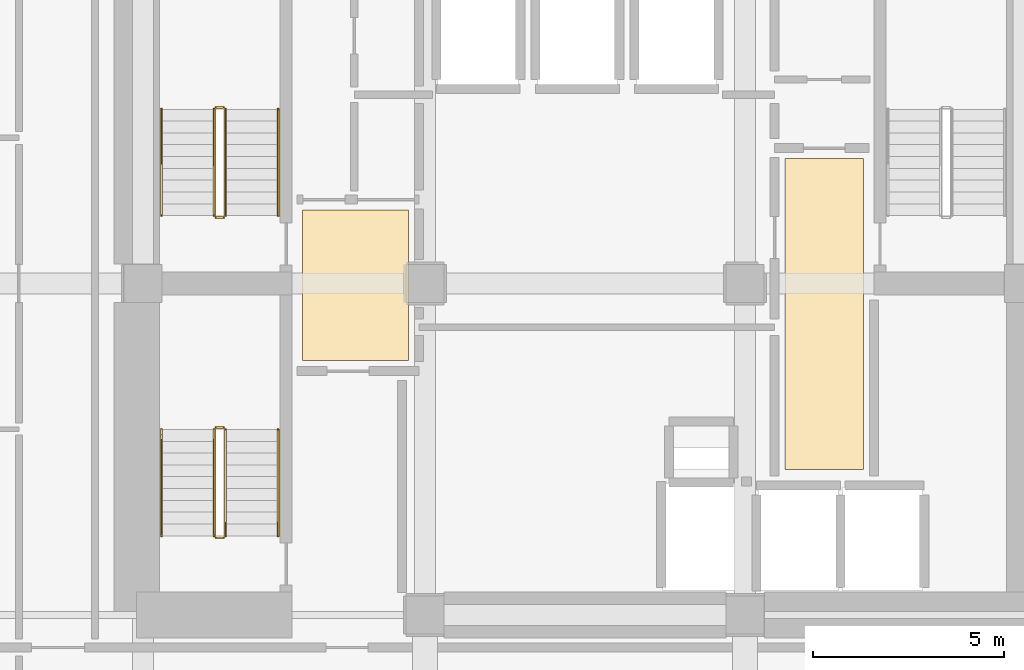
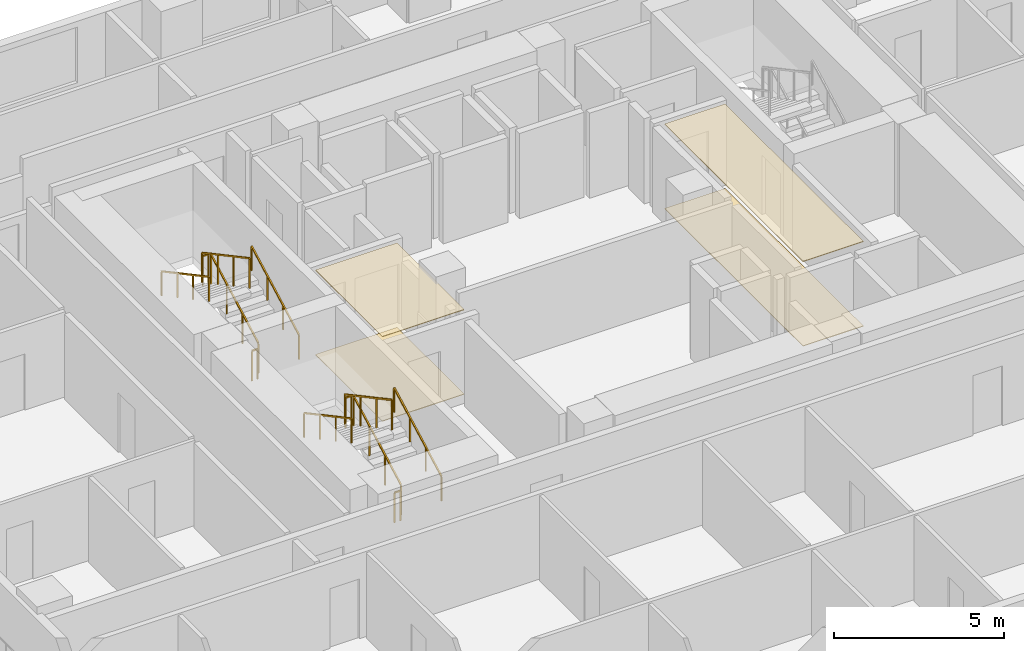
# One storey, part 9 of 11: 12 railings, 4 coverings.
"""IFC4 building model written with IfcOpenShell, lengths in metres."""

from ifc_helpers import new_model, si_unit, direction, frame, origin, origin_2d, place, context, subcontext, project, spatial, polyline, rectangle, outline, extrude, material, layer, layer_set, type_object, element, save


model = new_model("IFC4")

# Units and contexts
model_context = context("Model", 3, precision=1e-05, world=origin(), true_north=direction((0.0, 1.0)))
body_context = subcontext(model_context, "Body", "Model", "MODEL_VIEW")
ifc_project = project(units=[si_unit("LENGTHUNIT", "METRE"), si_unit("AREAUNIT", "SQUARE_METRE"), si_unit("VOLUMEUNIT", "CUBIC_METRE"), si_unit("PLANEANGLEUNIT", "RADIAN"), si_unit("MASSUNIT", "GRAM", prefix="KILO")], contexts=[model_context])

# Site, building, storey
site_placement = place(None, origin())
site = spatial("IfcSite", under=ifc_project, at=site_placement, CompositionType="ELEMENT")
building_placement = place(site_placement, origin())
building = spatial("IfcBuilding", under=site, at=building_placement, Name="Solanera Arch Residences", CompositionType="ELEMENT")
storey_placement = place(building_placement, frame((0.0, 0.0, 28.639892578125)))
storey = spatial("IfcBuildingStorey", under=building, at=storey_placement, Name="L07", CompositionType="ELEMENT", Elevation=28.639892578125)

# Coverings
ifc_material_1 = material(Name="Porcelain Acoustic Floor Tile", Category="ceramic")
ifc_layer_1 = layer(ifc_material_1, 0.02001953125)
ifc_layer_set_1 = layer_set([ifc_layer_1], Name="Porcelain Acoustic Floor Tile")
covering_type_1 = type_object("IfcCoveringType", Name="Porcelain Acoustic Floor Finish FLR-20", PredefinedType="FLOORING", material=ifc_layer_set_1)
covering_1_placement = place(storey_placement, origin())
element("IfcCovering", 1, at=covering_1_placement, inside=storey, type_object=covering_type_1, Name="L07-FFL-W Porcelain Floor Finish", PredefinedType="FLOORING", context=body_context, shape_type="SweptSolid", body=[
    extrude(outline(polyline([(20.375, 28.675048828125), (17.594970703125, 28.675048828125), (17.594970703125, 32.625), (20.375, 32.625), (20.375, 28.675048828125)])), origin(), (0.0, 0.0, 1.0), 0.02001953125),
])
covering_2_placement = place(storey_placement, origin())
element("IfcCovering", 2, at=covering_2_placement, inside=storey, type_object=covering_type_1, Name="L07-FFL-E Porcelain Floor Finish", PredefinedType="FLOORING", context=body_context, shape_type="SweptSolid", body=[
    extrude(outline(polyline([(32.304931640625, 25.824951171875), (30.25, 25.824951171875), (30.25, 33.97509765625), (32.304931640625, 33.97509765625), (32.304931640625, 25.824951171875)])), origin(), (0.0, 0.0, 1.0), 0.02001953125),
])

# Railings
ifc_material_2 = material(Name="Steel S355 (ASTM A992 / A572 Grade 50)", Category="steel")
railing_type_1 = type_object("IfcRailingType", Name="Stair Guardrail GR-1100", PredefinedType="GUARDRAIL", material=ifc_material_2)
railing_1_placement = place(storey_placement, frame((15.570068359375, 32.47998046875, 0.151123046875)))
element("IfcRailing", 3, at=railing_1_placement, inside=storey, type_object=railing_type_1, Name="L07 ST-T1 stair guard 1", PredefinedType="GUARDRAIL", context=body_context, shape_type="SweptSolid", body=[
    extrude(rectangle(XDim=0.048095703125, YDim=0.048095703125, at=origin_2d()), frame((0.0, 0.0, 1.076171875), z_axis=(0.0, 0.881580869306, 0.472033018838), x_axis=(-1.0, 0.0, 0.0)), (0.0, 0.0, 1.0), 3.164794921875),
    extrude(rectangle(XDim=0.0419921875, YDim=0.0419921875, at=origin_2d()), origin(), (0.0, 0.0, 1.0), 1.052001953125),
    extrude(rectangle(XDim=0.0419921875, YDim=0.0419921875, at=origin_2d()), frame((0.0, 0.929931640625, 0.498046875)), (0.0, 0.0, 1.0), 1.052001953125),
    extrude(rectangle(XDim=0.0419921875, YDim=0.0419921875, at=origin_2d()), frame((0.0, 1.860107421875, 0.995849609375)), (0.0, 0.0, 1.0), 1.052001953125),
    extrude(rectangle(XDim=0.0419921875, YDim=0.0419921875, at=origin_2d()), frame((0.0, 2.7900390625, 1.493896484375)), (0.0, 0.0, 1.0), 1.052001953125),
])
railing_2_placement = place(storey_placement, frame((15.52001953125, 35.320068359375, 1.64501953125)))
element("IfcRailing", 4, at=railing_2_placement, inside=storey, type_object=railing_type_1, Name="L07 ST-T1 stair guard 2", PredefinedType="GUARDRAIL", context=body_context, shape_type="SweptSolid", body=[
    extrude(rectangle(XDim=0.048095703125, YDim=0.048095703125, at=origin_2d()), frame((0.0, 0.0, 1.076171875), z_axis=(-1.0, 0.0, 0.0), x_axis=(0.0, -1.0, 0.0)), (0.0, 0.0, 1.0), 0.199951171875),
    extrude(rectangle(XDim=0.0419921875, YDim=0.0419921875, at=origin_2d()), origin(), (0.0, 0.0, 1.0), 1.052001953125),
    extrude(rectangle(XDim=0.0419921875, YDim=0.0419921875, at=origin_2d()), frame((-0.199951171875, 0.0, 0.0)), (0.0, 0.0, 1.0), 1.052001953125),
])
railing_3_placement = place(storey_placement, frame((15.27001953125, 35.27001953125, 1.81103515625)))
element("IfcRailing", 5, at=railing_3_placement, inside=storey, type_object=railing_type_1, Name="L07 ST-T1 stair guard 3", PredefinedType="GUARDRAIL", context=body_context, shape_type="SweptSolid", body=[
    extrude(rectangle(XDim=0.048095703125, YDim=0.048095703125, at=origin_2d()), frame((0.0, 0.0, 1.076171875), z_axis=(0.0, -0.881548766853, 0.472092969298), x_axis=(1.0, 0.0, 0.0)), (0.0, 0.0, 1.0), 3.1650390625),
    extrude(rectangle(XDim=0.0419921875, YDim=0.0419921875, at=origin_2d()), origin(), (0.0, 0.0, 1.0), 1.052001953125),
    extrude(rectangle(XDim=0.0419921875, YDim=0.0419921875, at=origin_2d()), frame((0.0, -0.929931640625, 0.498046875)), (0.0, 0.0, 1.0), 1.052001953125),
    extrude(rectangle(XDim=0.0419921875, YDim=0.0419921875, at=origin_2d()), frame((0.0, -1.860107421875, 0.99609375)), (0.0, 0.0, 1.0), 1.052001953125),
    extrude(rectangle(XDim=0.0419921875, YDim=0.0419921875, at=origin_2d()), frame((0.0, -2.7900390625, 1.494140625)), (0.0, 0.0, 1.0), 1.052001953125),
])
railing_4_placement = place(storey_placement, frame((15.52001953125, 32.429931640625, -0.014892578125)))
element("IfcRailing", 6, at=railing_4_placement, inside=storey, type_object=railing_type_1, Name="L07 ST-T1 stair guard 4", PredefinedType="GUARDRAIL", context=body_context, shape_type="SweptSolid", body=[
    extrude(rectangle(XDim=0.048095703125, YDim=0.048095703125, at=origin_2d()), frame((0.0, 0.0, 1.076171875), z_axis=(-1.0, 0.0, 0.0), x_axis=(0.0, -1.0, 0.0)), (0.0, 0.0, 1.0), 0.199951171875),
    extrude(rectangle(XDim=0.0419921875, YDim=0.0419921875, at=origin_2d()), origin(), (0.0, 0.0, 1.0), 1.052001953125),
    extrude(rectangle(XDim=0.0419921875, YDim=0.0419921875, at=origin_2d()), frame((-0.199951171875, 0.0, 0.0)), (0.0, 0.0, 1.0), 1.052001953125),
])
railing_5_placement = place(storey_placement, frame((15.570068359375, 24.080078125, 0.151123046875)))
element("IfcRailing", 7, at=railing_5_placement, inside=storey, type_object=railing_type_1, Name="L07 ST-T3 stair guard 1", PredefinedType="GUARDRAIL", context=body_context, shape_type="SweptSolid", body=[
    extrude(rectangle(XDim=0.048095703125, YDim=0.048095703125, at=origin_2d()), frame((0.0, 0.0, 1.076171875), z_axis=(0.0, 0.881580869306, 0.472033018838), x_axis=(-1.0, 0.0, 0.0)), (0.0, 0.0, 1.0), 3.164794921875),
    extrude(rectangle(XDim=0.0419921875, YDim=0.0419921875, at=origin_2d()), origin(), (0.0, 0.0, 1.0), 1.052001953125),
    extrude(rectangle(XDim=0.0419921875, YDim=0.0419921875, at=origin_2d()), frame((0.0, 0.929931640625, 0.498046875)), (0.0, 0.0, 1.0), 1.052001953125),
    extrude(rectangle(XDim=0.0419921875, YDim=0.0419921875, at=origin_2d()), frame((0.0, 1.860107421875, 0.995849609375)), (0.0, 0.0, 1.0), 1.052001953125),
    extrude(rectangle(XDim=0.0419921875, YDim=0.0419921875, at=origin_2d()), frame((0.0, 2.7900390625, 1.493896484375)), (0.0, 0.0, 1.0), 1.052001953125),
])
railing_6_placement = place(storey_placement, frame((15.52001953125, 26.919921875, 1.64501953125)))
element("IfcRailing", 8, at=railing_6_placement, inside=storey, type_object=railing_type_1, Name="L07 ST-T3 stair guard 2", PredefinedType="GUARDRAIL", context=body_context, shape_type="SweptSolid", body=[
    extrude(rectangle(XDim=0.048095703125, YDim=0.048095703125, at=origin_2d()), frame((0.0, 0.0, 1.076171875), z_axis=(-1.0, 0.0, 0.0), x_axis=(0.0, -1.0, 0.0)), (0.0, 0.0, 1.0), 0.199951171875),
    extrude(rectangle(XDim=0.0419921875, YDim=0.0419921875, at=origin_2d()), origin(), (0.0, 0.0, 1.0), 1.052001953125),
    extrude(rectangle(XDim=0.0419921875, YDim=0.0419921875, at=origin_2d()), frame((-0.199951171875, 0.0, 0.0)), (0.0, 0.0, 1.0), 1.052001953125),
])
railing_7_placement = place(storey_placement, frame((15.27001953125, 26.8701171875, 1.81103515625)))
element("IfcRailing", 9, at=railing_7_placement, inside=storey, type_object=railing_type_1, Name="L07 ST-T3 stair guard 3", PredefinedType="GUARDRAIL", context=body_context, shape_type="SweptSolid", body=[
    extrude(rectangle(XDim=0.048095703125, YDim=0.048095703125, at=origin_2d()), frame((0.0, 0.0, 1.076171875), z_axis=(0.0, -0.881548766853, 0.472092969298), x_axis=(1.0, 0.0, 0.0)), (0.0, 0.0, 1.0), 3.1650390625),
    extrude(rectangle(XDim=0.0419921875, YDim=0.0419921875, at=origin_2d()), origin(), (0.0, 0.0, 1.0), 1.052001953125),
    extrude(rectangle(XDim=0.0419921875, YDim=0.0419921875, at=origin_2d()), frame((0.0, -0.929931640625, 0.498046875)), (0.0, 0.0, 1.0), 1.052001953125),
    extrude(rectangle(XDim=0.0419921875, YDim=0.0419921875, at=origin_2d()), frame((0.0, -1.860107421875, 0.99609375)), (0.0, 0.0, 1.0), 1.052001953125),
    extrude(rectangle(XDim=0.0419921875, YDim=0.0419921875, at=origin_2d()), frame((0.0, -2.7900390625, 1.494140625)), (0.0, 0.0, 1.0), 1.052001953125),
])
railing_8_placement = place(storey_placement, frame((15.52001953125, 24.030029296875, -0.014892578125)))
element("IfcRailing", 10, at=railing_8_placement, inside=storey, type_object=railing_type_1, Name="L07 ST-T3 stair guard 4", PredefinedType="GUARDRAIL", context=body_context, shape_type="SweptSolid", body=[
    extrude(rectangle(XDim=0.048095703125, YDim=0.048095703125, at=origin_2d()), frame((0.0, 0.0, 1.076171875), z_axis=(-1.0, 0.0, 0.0), x_axis=(0.0, -1.0, 0.0)), (0.0, 0.0, 1.0), 0.199951171875),
    extrude(rectangle(XDim=0.0419921875, YDim=0.0419921875, at=origin_2d()), origin(), (0.0, 0.0, 1.0), 1.052001953125),
    extrude(rectangle(XDim=0.0419921875, YDim=0.0419921875, at=origin_2d()), frame((-0.199951171875, 0.0, 0.0)), (0.0, 0.0, 1.0), 1.052001953125),
])
ifc_material_3 = material(Name="Steel S355 (ASTM A992 / A572 Grade 50)", Category="steel")
railing_type_2 = type_object("IfcRailingType", Name="Stair Wall Handrail HR-920", PredefinedType="HANDRAIL", material=ifc_material_3)
railing_9_placement = place(storey_placement, frame((16.949951171875, 32.47998046875, 0.166015625)))
element("IfcRailing", 11, at=railing_9_placement, inside=storey, type_object=railing_type_2, Name="L07 ST-T1 stair handrail 1", PredefinedType="HANDRAIL", context=body_context, shape_type="SweptSolid", body=[
    extrude(rectangle(XDim=0.048095703125, YDim=0.048095703125, at=origin_2d()), frame((0.0, 0.0, 0.8759765625), z_axis=(0.0, 0.881548766853, 0.472092969298), x_axis=(-1.0, 0.0, 0.0)), (0.0, 0.0, 1.0), 3.1650390625),
    extrude(rectangle(XDim=0.0419921875, YDim=0.0419921875, at=origin_2d()), origin(), (0.0, 0.0, 1.0), 0.851806640625),
    extrude(rectangle(XDim=0.0419921875, YDim=0.0419921875, at=origin_2d()), frame((0.0, 0.929931640625, 0.498046875)), (0.0, 0.0, 1.0), 0.851806640625),
    extrude(rectangle(XDim=0.0419921875, YDim=0.0419921875, at=origin_2d()), frame((0.0, 1.860107421875, 0.99609375)), (0.0, 0.0, 1.0), 0.851806640625),
    extrude(rectangle(XDim=0.0419921875, YDim=0.0419921875, at=origin_2d()), frame((0.0, 2.7900390625, 1.494140625)), (0.0, 0.0, 1.0), 0.851806640625),
])
railing_10_placement = place(storey_placement, frame((13.889892578125, 35.27001953125, 1.826171875)))
element("IfcRailing", 12, at=railing_10_placement, inside=storey, type_object=railing_type_2, Name="L07 ST-T1 stair handrail 2", PredefinedType="HANDRAIL", context=body_context, shape_type="SweptSolid", body=[
    extrude(rectangle(XDim=0.048095703125, YDim=0.048095703125, at=origin_2d()), frame((0.0, 0.0, 0.8759765625), z_axis=(0.0, -0.881580869306, 0.472033018838), x_axis=(1.0, 0.0, 0.0)), (0.0, 0.0, 1.0), 3.164794921875),
    extrude(rectangle(XDim=0.0419921875, YDim=0.0419921875, at=origin_2d()), origin(), (0.0, 0.0, 1.0), 0.851806640625),
    extrude(rectangle(XDim=0.0419921875, YDim=0.0419921875, at=origin_2d()), frame((0.0, -0.929931640625, 0.498046875)), (0.0, 0.0, 1.0), 0.851806640625),
    extrude(rectangle(XDim=0.0419921875, YDim=0.0419921875, at=origin_2d()), frame((0.0, -1.860107421875, 0.995849609375)), (0.0, 0.0, 1.0), 0.851806640625),
    extrude(rectangle(XDim=0.0419921875, YDim=0.0419921875, at=origin_2d()), frame((0.0, -2.7900390625, 1.493896484375)), (0.0, 0.0, 1.0), 0.851806640625),
])
railing_11_placement = place(storey_placement, frame((16.949951171875, 24.080078125, 0.166015625)))
element("IfcRailing", 13, at=railing_11_placement, inside=storey, type_object=railing_type_2, Name="L07 ST-T3 stair handrail 1", PredefinedType="HANDRAIL", context=body_context, shape_type="SweptSolid", body=[
    extrude(rectangle(XDim=0.048095703125, YDim=0.048095703125, at=origin_2d()), frame((0.0, 0.0, 0.8759765625), z_axis=(0.0, 0.881548766853, 0.472092969298), x_axis=(-1.0, 0.0, 0.0)), (0.0, 0.0, 1.0), 3.1650390625),
    extrude(rectangle(XDim=0.0419921875, YDim=0.0419921875, at=origin_2d()), origin(), (0.0, 0.0, 1.0), 0.851806640625),
    extrude(rectangle(XDim=0.0419921875, YDim=0.0419921875, at=origin_2d()), frame((0.0, 0.929931640625, 0.498046875)), (0.0, 0.0, 1.0), 0.851806640625),
    extrude(rectangle(XDim=0.0419921875, YDim=0.0419921875, at=origin_2d()), frame((0.0, 1.860107421875, 0.99609375)), (0.0, 0.0, 1.0), 0.851806640625),
    extrude(rectangle(XDim=0.0419921875, YDim=0.0419921875, at=origin_2d()), frame((0.0, 2.7900390625, 1.494140625)), (0.0, 0.0, 1.0), 0.851806640625),
])
railing_12_placement = place(storey_placement, frame((13.889892578125, 26.8701171875, 1.826171875)))
element("IfcRailing", 14, at=railing_12_placement, inside=storey, type_object=railing_type_2, Name="L07 ST-T3 stair handrail 2", PredefinedType="HANDRAIL", context=body_context, shape_type="SweptSolid", body=[
    extrude(rectangle(XDim=0.048095703125, YDim=0.048095703125, at=origin_2d()), frame((0.0, 0.0, 0.8759765625), z_axis=(0.0, -0.881580869306, 0.472033018838), x_axis=(1.0, 0.0, 0.0)), (0.0, 0.0, 1.0), 3.164794921875),
    extrude(rectangle(XDim=0.0419921875, YDim=0.0419921875, at=origin_2d()), origin(), (0.0, 0.0, 1.0), 0.851806640625),
    extrude(rectangle(XDim=0.0419921875, YDim=0.0419921875, at=origin_2d()), frame((0.0, -0.929931640625, 0.498046875)), (0.0, 0.0, 1.0), 0.851806640625),
    extrude(rectangle(XDim=0.0419921875, YDim=0.0419921875, at=origin_2d()), frame((0.0, -1.860107421875, 0.995849609375)), (0.0, 0.0, 1.0), 0.851806640625),
    extrude(rectangle(XDim=0.0419921875, YDim=0.0419921875, at=origin_2d()), frame((0.0, -2.7900390625, 1.493896484375)), (0.0, 0.0, 1.0), 0.851806640625),
])

# Coverings
ifc_material_4 = material(Name="Mineral Fibre Acoustic Ceiling Board", Category="gypsum")
ifc_layer_2 = layer(ifc_material_4, 0.02490234375)
ifc_layer_set_2 = layer_set([ifc_layer_2], Name="Mineral Fibre Acoustic Ceiling Board")
covering_type_2 = type_object("IfcCoveringType", Name="Suspended Acoustic Ceiling Board CLG-25", PredefinedType="CEILING", material=ifc_layer_set_2)
covering_3_placement = place(storey_placement, frame((0.0, 0.0, 3.03515625)))
element("IfcCovering", 15, at=covering_3_placement, inside=storey, type_object=covering_type_2, Name="L07-FFL-W Acoustic Ceiling", PredefinedType="CEILING", context=body_context, shape_type="SweptSolid", body=[
    extrude(outline(polyline([(20.375, 28.675048828125), (17.594970703125, 28.675048828125), (17.594970703125, 32.625), (20.375, 32.625), (20.375, 28.675048828125)])), origin(), (0.0, 0.0, 1.0), 0.02490234375),
])
covering_4_placement = place(storey_placement, frame((0.0, 0.0, 3.03515625)))
element("IfcCovering", 16, at=covering_4_placement, inside=storey, type_object=covering_type_2, Name="L07-FFL-E Acoustic Ceiling", PredefinedType="CEILING", context=body_context, shape_type="SweptSolid", body=[
    extrude(outline(polyline([(32.304931640625, 25.824951171875), (30.25, 25.824951171875), (30.25, 33.97509765625), (32.304931640625, 33.97509765625), (32.304931640625, 25.824951171875)])), origin(), (0.0, 0.0, 1.0), 0.02490234375),
])

save(model, "model.ifc")
